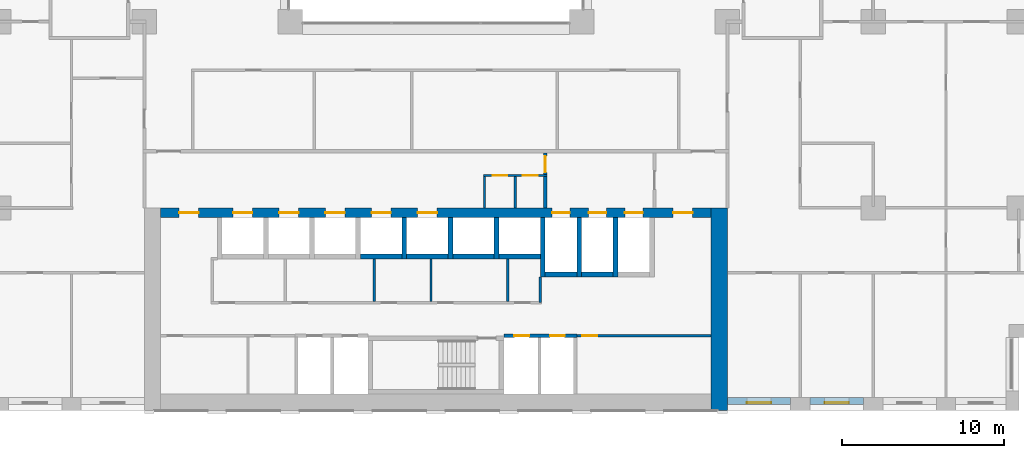
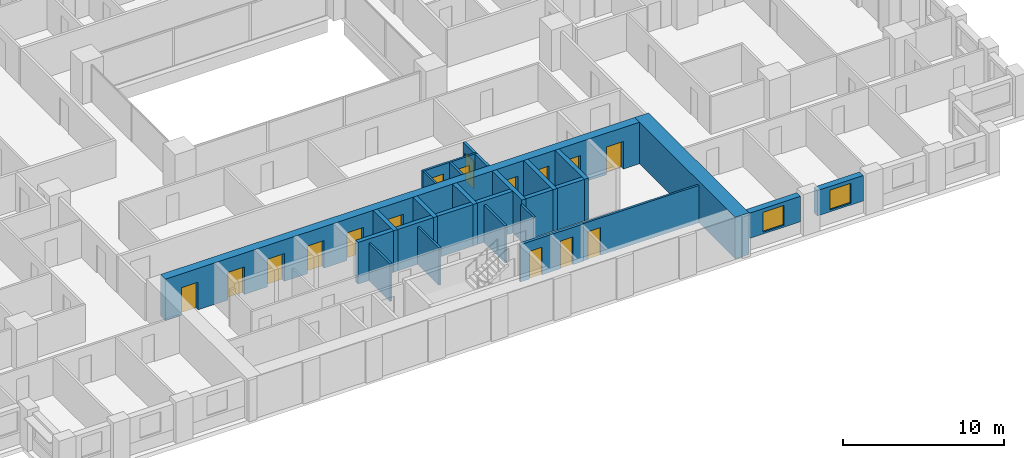
# One storey, part 11 of 19: 27 walls, 16 doors, 2 windows, 18 openings.
"""IFC4 building model written with IfcOpenShell, lengths in metres."""

from ifc_helpers import new_model, si_unit, direction, frame, frame_2d, origin, place, context, subcontext, project, spatial, rectangle, extrude, material, layer, layer_set, type_object, element, fill, save


model = new_model("IFC4")

# Units and contexts
model_context = context("Model", 3, precision=1e-05, world=origin(), true_north=direction((0.0, 1.0)))
body_context = subcontext(model_context, "Body", "Model", "MODEL_VIEW")
ifc_project = project(units=[si_unit("LENGTHUNIT", "METRE"), si_unit("AREAUNIT", "SQUARE_METRE"), si_unit("VOLUMEUNIT", "CUBIC_METRE"), si_unit("PLANEANGLEUNIT", "RADIAN"), si_unit("MASSUNIT", "GRAM", prefix="KILO")], contexts=[model_context])

# Site, building, storey
site_placement = place(None, origin())
site = spatial("IfcSite", under=ifc_project, at=site_placement, CompositionType="ELEMENT")
building_placement = place(site_placement, origin())
building = spatial("IfcBuilding", under=site, at=building_placement, Name="Brigalow Station Residences", CompositionType="ELEMENT")
storey_placement = place(building_placement, frame((0.0, 0.0, 35.25)))
storey = spatial("IfcBuildingStorey", under=building, at=storey_placement, Name="L09", CompositionType="ELEMENT", Elevation=35.25)

# Wall, opening, window
ifc_material_1 = material(Name="Clay brick masonry", Category="masonry")
ifc_layer_1 = layer(ifc_material_1, 0.449951171875)
ifc_layer_set_1 = layer_set([ifc_layer_1], Name="BRICK INFILL WALL 450")
wall_type_1 = type_object("IfcWallType", Name="BRICK INFILL WALL 450", PredefinedType="SOLIDWALL", material=ifc_layer_set_1)
wall_1_placement = place(storey_placement, frame((54.0, 0.574951171875, 0.89990234375), z_axis=(0.0, 0.0, 1.0), x_axis=(1.0, 0.0, 0.0)))
wall_1 = element("IfcWall", 1, at=wall_1_placement, inside=storey, type_object=wall_type_1, Name="L09/ewall/W-L09-5", PredefinedType="SOLIDWALL", context=body_context, shape_type="SweptSolid", body=[
    extrude(rectangle(XDim=3.89990234375, YDim=0.449951171875, at=frame_2d((1.949951171875, 0.0))), origin(), (0.0, 0.0, 1.0), 1.93017578125),
])
opening_1_placement = place(wall_1_placement, frame((1.199951171875, 0.0, 0.14990234375)))
opening_1 = element("IfcOpeningElement", 2, at=opening_1_placement, cuts=wall_1, Name="Opening WT-1", PredefinedType="OPENING", context=body_context, shape_type="SweptSolid", body=[
    extrude(rectangle(XDim=1.5, YDim=1.5, at=frame_2d((0.75, 0.75))), frame((0.0, 0.23486328125, 0.0), z_axis=(0.0, -1.0, 0.0), x_axis=(1.0, 0.0, 0.0)), (0.0, 0.0, 1.0), 0.469970703125),
])
ifc_material_2 = material(Name="Anodised aluminium frame with double glazing", Category="aluminium")
window_type = type_object("IfcWindowType", Name="WINDOW 1500x1500", PartitioningType="SINGLE_PANEL", PredefinedType="WINDOW", material=ifc_material_2)
window_1_placement = place(opening_1_placement, origin())
window_1 = element("IfcWindow", 3, at=window_1_placement, inside=storey, type_object=window_type, Name="L09/window/W-L09-5", OverallHeight=1.5, OverallWidth=1.5, PartitioningType="SINGLE_PANEL", PredefinedType="WINDOW", context=body_context, shape_type="SweptSolid", body=[
    extrude(rectangle(XDim=1.5, YDim=1.5, at=frame_2d((0.75, 0.75))), frame((0.0, -0.06494140625, 0.0), z_axis=(0.0, -1.0, 0.0), x_axis=(1.0, 0.0, 0.0)), (0.0, 0.0, 1.0), 0.06005859375),
])
fill(opening_1, window_1)

wall_2_placement = place(storey_placement, frame((59.10009765625, 0.574951171875, 0.89990234375), z_axis=(0.0, 0.0, 1.0), x_axis=(1.0, 0.0, 0.0)))
wall_2 = element("IfcWall", 4, at=wall_2_placement, inside=storey, type_object=wall_type_1, Name="L09/ewall/W-L09-6", PredefinedType="SOLIDWALL", context=body_context, shape_type="SweptSolid", body=[
    extrude(rectangle(XDim=3.2998046875, YDim=0.449951171875, at=frame_2d((1.64990234375, 0.0))), origin(), (0.0, 0.0, 1.0), 1.93017578125),
])
opening_2_placement = place(wall_2_placement, frame((0.89990234375, 0.0, 0.14990234375)))
opening_2 = element("IfcOpeningElement", 5, at=opening_2_placement, cuts=wall_2, Name="Opening WT-1", PredefinedType="OPENING", context=body_context, shape_type="SweptSolid", body=[
    extrude(rectangle(XDim=1.5, YDim=1.5, at=frame_2d((0.75, 0.75))), frame((0.0, 0.23486328125, 0.0), z_axis=(0.0, -1.0, 0.0), x_axis=(1.0, 0.0, 0.0)), (0.0, 0.0, 1.0), 0.469970703125),
])
window_2_placement = place(opening_2_placement, origin())
window_2 = element("IfcWindow", 6, at=window_2_placement, inside=storey, type_object=window_type, Name="L09/window/W-L09-6", OverallHeight=1.5, OverallWidth=1.5, PartitioningType="SINGLE_PANEL", PredefinedType="WINDOW", context=body_context, shape_type="SweptSolid", body=[
    extrude(rectangle(XDim=1.5, YDim=1.5, at=frame_2d((0.75, 0.75))), frame((0.0, -0.06494140625, 0.0), z_axis=(0.0, -1.0, 0.0), x_axis=(1.0, 0.0, 0.0)), (0.0, 0.0, 1.0), 0.06005859375),
])
fill(opening_2, window_2)

# Walls
ifc_material_3 = material(Name="Concrete C80", Category="concrete")
ifc_layer_2 = layer(ifc_material_3, 1.0)
ifc_layer_set_2 = layer_set([ifc_layer_2], Name="CORE SHEAR WALL 1000 C80")
wall_type_2 = type_object("IfcWallType", Name="CORE SHEAR WALL 1000 C80", PredefinedType="SHEAR", material=ifc_layer_set_2)
wall_3_placement = place(storey_placement, frame((53.5, 0.0, 0.0), z_axis=(0.0, 0.0, 1.0), x_axis=(0.0, 1.0, 0.0)))
element("IfcWall", 7, at=wall_3_placement, inside=storey, type_object=wall_type_2, Name="CORE WALL OUT-E L09", PredefinedType="SHEAR", context=body_context, shape_type="SweptSolid", body=[
    extrude(rectangle(XDim=12.5, YDim=1.0, at=frame_2d((6.25, 0.0))), origin(), (0.0, 0.0, 1.0), 3.14990234375),
])
ifc_material_4 = material(Name="Concrete C80", Category="concrete")
ifc_layer_3 = layer(ifc_material_4, 0.300048828125)
ifc_layer_set_3 = layer_set([ifc_layer_3], Name="CORE SHEAR WALL 300 C80")
wall_type_3 = type_object("IfcWallType", Name="CORE SHEAR WALL 300 C80", PredefinedType="SHEAR", material=ifc_layer_set_3)
wall_4_placement = place(storey_placement, frame((31.35009765625, 9.5, 0.0), z_axis=(0.0, 0.0, 1.0), x_axis=(1.0, 0.0, 0.0)))
element("IfcWall", 8, at=wall_4_placement, inside=storey, type_object=wall_type_3, Name="CORE WALL SH-P4-S L09", PredefinedType="SHEAR", context=body_context, shape_type="SweptSolid", body=[
    extrude(rectangle(XDim=2.5498046875, YDim=0.300048828125, at=frame_2d((1.27490234375, 0.0))), origin(), (0.0, 0.0, 1.0), 3.14990234375),
])
wall_5_placement = place(storey_placement, frame((34.199951171875, 9.5, 0.0), z_axis=(0.0, 0.0, 1.0), x_axis=(1.0, 0.0, 0.0)))
element("IfcWall", 9, at=wall_5_placement, inside=storey, type_object=wall_type_3, Name="CORE WALL SH-P5-S L09", PredefinedType="SHEAR", context=body_context, shape_type="SweptSolid", body=[
    extrude(rectangle(XDim=2.550048828125, YDim=0.300048828125, at=frame_2d((1.27490234375, 0.0))), origin(), (0.0, 0.0, 1.0), 3.14990234375),
])
wall_6_placement = place(storey_placement, frame((34.050048828125, 9.35009765625, 0.0), z_axis=(0.0, 0.0, 1.0), x_axis=(0.0, 1.0, 0.0)))
element("IfcWall", 10, at=wall_6_placement, inside=storey, type_object=wall_type_3, Name="CORE WALL SH-P5-W L09", PredefinedType="SHEAR", context=body_context, shape_type="SweptSolid", body=[
    extrude(rectangle(XDim=2.5498046875, YDim=0.300048828125, at=frame_2d((1.27490234375, 0.0))), origin(), (0.0, 0.0, 1.0), 3.14990234375),
])
wall_7_placement = place(storey_placement, frame((37.050048828125, 9.5, 0.0), z_axis=(0.0, 0.0, 1.0), x_axis=(1.0, 0.0, 0.0)))
element("IfcWall", 11, at=wall_7_placement, inside=storey, type_object=wall_type_3, Name="CORE WALL SH-X1-S L09", PredefinedType="SHEAR", context=body_context, shape_type="SweptSolid", body=[
    extrude(rectangle(XDim=2.550048828125, YDim=0.300048828125, at=frame_2d((1.27490234375, 0.0))), origin(), (0.0, 0.0, 1.0), 3.14990234375),
])
wall_8_placement = place(storey_placement, frame((36.89990234375, 9.35009765625, 0.0), z_axis=(0.0, 0.0, 1.0), x_axis=(0.0, 1.0, 0.0)))
element("IfcWall", 12, at=wall_8_placement, inside=storey, type_object=wall_type_3, Name="CORE WALL SH-X1-W L09", PredefinedType="SHEAR", context=body_context, shape_type="SweptSolid", body=[
    extrude(rectangle(XDim=2.5498046875, YDim=0.300048828125, at=frame_2d((1.27490234375, 0.0))), origin(), (0.0, 0.0, 1.0), 3.14990234375),
])
wall_9_placement = place(storey_placement, frame((39.89990234375, 9.5, 0.0), z_axis=(0.0, 0.0, 1.0), x_axis=(1.0, 0.0, 0.0)))
element("IfcWall", 13, at=wall_9_placement, inside=storey, type_object=wall_type_3, Name="CORE WALL SH-X2-S L09", PredefinedType="SHEAR", context=body_context, shape_type="SweptSolid", body=[
    extrude(rectangle(XDim=2.550048828125, YDim=0.300048828125, at=frame_2d((1.27490234375, 0.0))), origin(), (0.0, 0.0, 1.0), 3.14990234375),
])
wall_10_placement = place(storey_placement, frame((39.75, 9.35009765625, 0.0), z_axis=(0.0, 0.0, 1.0), x_axis=(0.0, 1.0, 0.0)))
element("IfcWall", 14, at=wall_10_placement, inside=storey, type_object=wall_type_3, Name="CORE WALL SH-X2-W L09", PredefinedType="SHEAR", context=body_context, shape_type="SweptSolid", body=[
    extrude(rectangle(XDim=2.5498046875, YDim=0.300048828125, at=frame_2d((1.27490234375, 0.0))), origin(), (0.0, 0.0, 1.0), 3.14990234375),
])
wall_11_placement = place(storey_placement, frame((42.75, 8.39990234375, 0.0), z_axis=(0.0, 0.0, 1.0), x_axis=(1.0, 0.0, 0.0)))
element("IfcWall", 15, at=wall_11_placement, inside=storey, type_object=wall_type_3, Name="CORE WALL SH-FF1-S L09", PredefinedType="SHEAR", context=body_context, shape_type="SweptSolid", body=[
    extrude(rectangle(XDim=1.949951171875, YDim=0.300048828125, at=frame_2d((0.97509765625, 0.0))), origin(), (0.0, 0.0, 1.0), 3.14990234375),
])
wall_12_placement = place(storey_placement, frame((42.60009765625, 8.25, 0.0), z_axis=(0.0, 0.0, 1.0), x_axis=(0.0, 1.0, 0.0)))
element("IfcWall", 16, at=wall_12_placement, inside=storey, type_object=wall_type_3, Name="CORE WALL SH-FF1-W L09", PredefinedType="SHEAR", context=body_context, shape_type="SweptSolid", body=[
    extrude(rectangle(XDim=3.64990234375, YDim=0.300048828125, at=frame_2d((1.824951171875, 0.0))), origin(), (0.0, 0.0, 1.0), 3.14990234375),
])
wall_13_placement = place(storey_placement, frame((45.0, 8.39990234375, 0.0), z_axis=(0.0, 0.0, 1.0), x_axis=(1.0, 0.0, 0.0)))
element("IfcWall", 17, at=wall_13_placement, inside=storey, type_object=wall_type_3, Name="CORE WALL SH-FF2-S L09", PredefinedType="SHEAR", context=body_context, shape_type="SweptSolid", body=[
    extrude(rectangle(XDim=1.949951171875, YDim=0.300048828125, at=frame_2d((0.97509765625, 0.0))), origin(), (0.0, 0.0, 1.0), 3.14990234375),
])
for number, where, z_axis, x_axis, name in (
    (18, (44.85009765625, 8.25, 0.0), (0.0, 0.0, 1.0), (0.0, 1.0, 0.0), "CORE WALL SH-FF2-W L09"),
    (19, (47.10009765625, 8.25, 0.0), (0.0, 0.0, 1.0), (0.0, 1.0, 0.0), "CORE WALL SH-SL1-W L09"),
):
    element("IfcWall", number, at=place(storey_placement, frame(where, z_axis=z_axis, x_axis=x_axis)), inside=storey, type_object=wall_type_3, Name=name, PredefinedType="SHEAR", context=body_context, shape_type="SweptSolid", body=[
        extrude(rectangle(XDim=3.64990234375, YDim=0.300048828125, at=frame_2d((1.824951171875, 0.0))), origin(), (0.0, 0.0, 1.0), 3.14990234375),
    ])

# Wall, openings, doors
ifc_material_5 = material(Name="Concrete C80", Category="concrete")
ifc_layer_4 = layer(ifc_material_5, 0.60009765625)
ifc_layer_set_4 = layer_set([ifc_layer_4], Name="CORE SHEAR WALL 600 C80")
wall_type_4 = type_object("IfcWallType", Name="CORE SHEAR WALL 600 C80", PredefinedType="SHEAR", material=ifc_layer_set_4)
wall_14_placement = place(storey_placement, frame((19.0, 12.199951171875, 0.0), z_axis=(0.0, 0.0, 1.0), x_axis=(1.0, 0.0, 0.0)))
wall_14 = element("IfcWall", 20, at=wall_14_placement, inside=storey, type_object=wall_type_4, Name="CORE WALL OUT-N L09", PredefinedType="SHEAR", context=body_context, shape_type="SweptSolid", body=[
    extrude(rectangle(XDim=34.0, YDim=0.60009765625, at=frame_2d((17.0, 0.0))), origin(), (0.0, 0.0, 1.0), 3.14990234375),
])
opening_3_placement = place(wall_14_placement, frame((4.47509765625, 0.0, 0.0)))
opening_3 = element("IfcOpeningElement", 21, at=opening_3_placement, cuts=wall_14, Name="Opening LD-LA1", PredefinedType="OPENING", context=body_context, shape_type="SweptSolid", body=[
    extrude(rectangle(XDim=1.199951171875, YDim=2.10009765625, at=frame_2d((0.60009765625, 1.050048828125))), frame((0.0, 0.31005859375, 0.0), z_axis=(0.0, -1.0, 0.0), x_axis=(1.0, 0.0, 0.0)), (0.0, 0.0, 1.0), 0.6201171875),
])
opening_4_placement = place(wall_14_placement, frame((7.324951171875, 0.0, 0.0)))
opening_4 = element("IfcOpeningElement", 22, at=opening_4_placement, cuts=wall_14, Name="Opening LD-LA2", PredefinedType="OPENING", context=body_context, shape_type="SweptSolid", body=[
    extrude(rectangle(XDim=1.199951171875, YDim=2.10009765625, at=frame_2d((0.60009765625, 1.050048828125))), frame((0.0, 0.31005859375, 0.0), z_axis=(0.0, -1.0, 0.0), x_axis=(1.0, 0.0, 0.0)), (0.0, 0.0, 1.0), 0.6201171875),
])
opening_5_placement = place(wall_14_placement, frame((10.175048828125, 0.0, 0.0)))
opening_5 = element("IfcOpeningElement", 23, at=opening_5_placement, cuts=wall_14, Name="Opening LD-LA3", PredefinedType="OPENING", context=body_context, shape_type="SweptSolid", body=[
    extrude(rectangle(XDim=1.199951171875, YDim=2.10009765625, at=frame_2d((0.60009765625, 1.050048828125))), frame((0.0, 0.31005859375, 0.0), z_axis=(0.0, -1.0, 0.0), x_axis=(1.0, 0.0, 0.0)), (0.0, 0.0, 1.0), 0.6201171875),
])
opening_6_placement = place(wall_14_placement, frame((13.02490234375, 0.0, 0.0)))
opening_6 = element("IfcOpeningElement", 24, at=opening_6_placement, cuts=wall_14, Name="Opening LD-LA4", PredefinedType="OPENING", context=body_context, shape_type="SweptSolid", body=[
    extrude(rectangle(XDim=1.199951171875, YDim=2.10009765625, at=frame_2d((0.60009765625, 1.050048828125))), frame((0.0, 0.31005859375, 0.0), z_axis=(0.0, -1.0, 0.0), x_axis=(1.0, 0.0, 0.0)), (0.0, 0.0, 1.0), 0.6201171875),
])
opening_7_placement = place(wall_14_placement, frame((15.875, 0.0, 0.0)))
opening_7 = element("IfcOpeningElement", 25, at=opening_7_placement, cuts=wall_14, Name="Opening LD-LA5", PredefinedType="OPENING", context=body_context, shape_type="SweptSolid", body=[
    extrude(rectangle(XDim=1.199951171875, YDim=2.10009765625, at=frame_2d((0.60009765625, 1.050048828125))), frame((0.0, 0.31005859375, 0.0), z_axis=(0.0, -1.0, 0.0), x_axis=(1.0, 0.0, 0.0)), (0.0, 0.0, 1.0), 0.6201171875),
])
opening_8_placement = place(wall_14_placement, frame((24.175048828125, 0.0, 0.0)))
opening_8 = element("IfcOpeningElement", 26, at=opening_8_placement, cuts=wall_14, Name="Opening LD-LF1", PredefinedType="OPENING", context=body_context, shape_type="SweptSolid", body=[
    extrude(rectangle(XDim=1.10009765625, YDim=2.10009765625, at=frame_2d((0.550048828125, 1.050048828125))), frame((0.0, 0.31005859375, 0.0), z_axis=(0.0, -1.0, 0.0), x_axis=(1.0, 0.0, 0.0)), (0.0, 0.0, 1.0), 0.6201171875),
])
opening_9_placement = place(wall_14_placement, frame((26.425048828125, 0.0, 0.0)))
opening_9 = element("IfcOpeningElement", 27, at=opening_9_placement, cuts=wall_14, Name="Opening LD-LF2", PredefinedType="OPENING", context=body_context, shape_type="SweptSolid", body=[
    extrude(rectangle(XDim=1.10009765625, YDim=2.10009765625, at=frame_2d((0.550048828125, 1.050048828125))), frame((0.0, 0.31005859375, 0.0), z_axis=(0.0, -1.0, 0.0), x_axis=(1.0, 0.0, 0.0)), (0.0, 0.0, 1.0), 0.6201171875),
])
opening_10_placement = place(wall_14_placement, frame((28.675048828125, 0.0, 0.0)))
opening_10 = element("IfcOpeningElement", 28, at=opening_10_placement, cuts=wall_14, Name="Opening LD-LG1", PredefinedType="OPENING", context=body_context, shape_type="SweptSolid", body=[
    extrude(rectangle(XDim=1.10009765625, YDim=2.10009765625, at=frame_2d((0.550048828125, 1.050048828125))), frame((0.0, 0.31005859375, 0.0), z_axis=(0.0, -1.0, 0.0), x_axis=(1.0, 0.0, 0.0)), (0.0, 0.0, 1.0), 0.6201171875),
])
opening_11_placement = place(wall_14_placement, frame((1.14990234375, 0.0, 0.0)))
opening_11 = element("IfcOpeningElement", 29, at=opening_11_placement, cuts=wall_14, Name="Opening D-5011", PredefinedType="OPENING", context=body_context, shape_type="SweptSolid", body=[
    extrude(rectangle(XDim=1.199951171875, YDim=2.10009765625, at=frame_2d((0.60009765625, 1.050048828125))), frame((0.0, 0.31005859375, 0.0), z_axis=(0.0, -1.0, 0.0), x_axis=(1.0, 0.0, 0.0)), (0.0, 0.0, 1.0), 0.6201171875),
])
opening_12_placement = place(wall_14_placement, frame((31.64990234375, 0.0, 0.0)))
opening_12 = element("IfcOpeningElement", 30, at=opening_12_placement, cuts=wall_14, Name="Opening D-5012", PredefinedType="OPENING", context=body_context, shape_type="SweptSolid", body=[
    extrude(rectangle(XDim=1.199951171875, YDim=2.10009765625, at=frame_2d((0.60009765625, 1.050048828125))), frame((0.0, 0.31005859375, 0.0), z_axis=(0.0, -1.0, 0.0), x_axis=(1.0, 0.0, 0.0)), (0.0, 0.0, 1.0), 0.6201171875),
])
ifc_material_6 = material(Name="Steel fire door leaf in steel frame", Category="steel")
door_type_1 = type_object("IfcDoorType", Name="CORE CORRIDOR DOOR 1200 x 2100 FD60S", OperationType="SINGLE_SWING_LEFT", PredefinedType="DOOR", material=ifc_material_6)
door_1_placement = place(opening_11_placement, frame((1.199951171875, 0.0, 0.0), z_axis=(0.0, 0.0, 1.0), x_axis=(-1.0, 0.0, 0.0)))
door_1 = element("IfcDoor", 31, at=door_1_placement, inside=storey, type_object=door_type_1, Name="D-5011", OperationType="SINGLE_SWING_LEFT", OverallHeight=2.10009765625, OverallWidth=1.199951171875, PredefinedType="DOOR", context=body_context, shape_type="SweptSolid", body=[
    extrude(rectangle(XDim=1.199951171875, YDim=2.10009765625, at=frame_2d((0.60009765625, 1.050048828125))), frame((0.0, 0.02490234375, 0.0), z_axis=(0.0, -1.0, 0.0), x_axis=(1.0, 0.0, 0.0)), (0.0, 0.0, 1.0), 0.050048828125),
])
fill(opening_11, door_1)
door_2_placement = place(opening_12_placement, frame((1.199951171875, 0.0, 0.0), z_axis=(0.0, 0.0, 1.0), x_axis=(-1.0, 0.0, 0.0)))
door_2 = element("IfcDoor", 32, at=door_2_placement, inside=storey, type_object=door_type_1, Name="D-5012", OperationType="SINGLE_SWING_RIGHT", OverallHeight=2.10009765625, OverallWidth=1.199951171875, PredefinedType="DOOR", context=body_context, shape_type="SweptSolid", body=[
    extrude(rectangle(XDim=1.199951171875, YDim=2.10009765625, at=frame_2d((0.60009765625, 1.050048828125))), frame((0.0, 0.02490234375, 0.0), z_axis=(0.0, -1.0, 0.0), x_axis=(1.0, 0.0, 0.0)), (0.0, 0.0, 1.0), 0.050048828125),
])
fill(opening_12, door_2)
ifc_material_7 = material(Name="Stainless steel sliding door leaves", Category="steel")
door_type_2 = type_object("IfcDoorType", Name="LIFT LANDING DOOR 1100 x 2100", OperationType="DOUBLE_DOOR_SLIDING", PredefinedType="DOOR", material=ifc_material_7)
door_3_placement = place(opening_8_placement, origin())
door_3 = element("IfcDoor", 33, at=door_3_placement, inside=storey, type_object=door_type_2, Name="LANDING DOOR LF1", OperationType="DOUBLE_DOOR_SLIDING", OverallHeight=2.10009765625, OverallWidth=1.10009765625, PredefinedType="DOOR", context=body_context, shape_type="SweptSolid", body=[
    extrude(rectangle(XDim=1.10009765625, YDim=2.10009765625, at=frame_2d((0.550048828125, 1.050048828125))), frame((0.0, 0.02490234375, 0.0), z_axis=(0.0, -1.0, 0.0), x_axis=(1.0, 0.0, 0.0)), (0.0, 0.0, 1.0), 0.050048828125),
])
fill(opening_8, door_3)
door_4_placement = place(opening_9_placement, origin())
door_4 = element("IfcDoor", 34, at=door_4_placement, inside=storey, type_object=door_type_2, Name="LANDING DOOR LF2", OperationType="DOUBLE_DOOR_SLIDING", OverallHeight=2.10009765625, OverallWidth=1.10009765625, PredefinedType="DOOR", context=body_context, shape_type="SweptSolid", body=[
    extrude(rectangle(XDim=1.10009765625, YDim=2.10009765625, at=frame_2d((0.550048828125, 1.050048828125))), frame((0.0, 0.02490234375, 0.0), z_axis=(0.0, -1.0, 0.0), x_axis=(1.0, 0.0, 0.0)), (0.0, 0.0, 1.0), 0.050048828125),
])
fill(opening_9, door_4)
door_5_placement = place(opening_10_placement, origin())
door_5 = element("IfcDoor", 35, at=door_5_placement, inside=storey, type_object=door_type_2, Name="LANDING DOOR LG1", OperationType="DOUBLE_DOOR_SLIDING", OverallHeight=2.10009765625, OverallWidth=1.10009765625, PredefinedType="DOOR", context=body_context, shape_type="SweptSolid", body=[
    extrude(rectangle(XDim=1.10009765625, YDim=2.10009765625, at=frame_2d((0.550048828125, 1.050048828125))), frame((0.0, 0.02490234375, 0.0), z_axis=(0.0, -1.0, 0.0), x_axis=(1.0, 0.0, 0.0)), (0.0, 0.0, 1.0), 0.050048828125),
])
fill(opening_10, door_5)
ifc_material_8 = material(Name="Stainless steel sliding door leaves", Category="steel")
door_type_3 = type_object("IfcDoorType", Name="LIFT LANDING DOOR 1200 x 2100", OperationType="DOUBLE_DOOR_SLIDING", PredefinedType="DOOR", material=ifc_material_8)
door_6_placement = place(opening_3_placement, origin())
door_6 = element("IfcDoor", 36, at=door_6_placement, inside=storey, type_object=door_type_3, Name="LANDING DOOR LA1", OperationType="DOUBLE_DOOR_SLIDING", OverallHeight=2.10009765625, OverallWidth=1.199951171875, PredefinedType="DOOR", context=body_context, shape_type="SweptSolid", body=[
    extrude(rectangle(XDim=1.199951171875, YDim=2.10009765625, at=frame_2d((0.60009765625, 1.050048828125))), frame((0.0, 0.02490234375, 0.0), z_axis=(0.0, -1.0, 0.0), x_axis=(1.0, 0.0, 0.0)), (0.0, 0.0, 1.0), 0.050048828125),
])
fill(opening_3, door_6)
door_7_placement = place(opening_4_placement, origin())
door_7 = element("IfcDoor", 37, at=door_7_placement, inside=storey, type_object=door_type_3, Name="LANDING DOOR LA2", OperationType="DOUBLE_DOOR_SLIDING", OverallHeight=2.10009765625, OverallWidth=1.199951171875, PredefinedType="DOOR", context=body_context, shape_type="SweptSolid", body=[
    extrude(rectangle(XDim=1.199951171875, YDim=2.10009765625, at=frame_2d((0.60009765625, 1.050048828125))), frame((0.0, 0.02490234375, 0.0), z_axis=(0.0, -1.0, 0.0), x_axis=(1.0, 0.0, 0.0)), (0.0, 0.0, 1.0), 0.050048828125),
])
fill(opening_4, door_7)
door_8_placement = place(opening_5_placement, origin())
door_8 = element("IfcDoor", 38, at=door_8_placement, inside=storey, type_object=door_type_3, Name="LANDING DOOR LA3", OperationType="DOUBLE_DOOR_SLIDING", OverallHeight=2.10009765625, OverallWidth=1.199951171875, PredefinedType="DOOR", context=body_context, shape_type="SweptSolid", body=[
    extrude(rectangle(XDim=1.199951171875, YDim=2.10009765625, at=frame_2d((0.60009765625, 1.050048828125))), frame((0.0, 0.02490234375, 0.0), z_axis=(0.0, -1.0, 0.0), x_axis=(1.0, 0.0, 0.0)), (0.0, 0.0, 1.0), 0.050048828125),
])
fill(opening_5, door_8)
door_9_placement = place(opening_6_placement, origin())
door_9 = element("IfcDoor", 39, at=door_9_placement, inside=storey, type_object=door_type_3, Name="LANDING DOOR LA4", OperationType="DOUBLE_DOOR_SLIDING", OverallHeight=2.10009765625, OverallWidth=1.199951171875, PredefinedType="DOOR", context=body_context, shape_type="SweptSolid", body=[
    extrude(rectangle(XDim=1.199951171875, YDim=2.10009765625, at=frame_2d((0.60009765625, 1.050048828125))), frame((0.0, 0.02490234375, 0.0), z_axis=(0.0, -1.0, 0.0), x_axis=(1.0, 0.0, 0.0)), (0.0, 0.0, 1.0), 0.050048828125),
])
fill(opening_6, door_9)
door_10_placement = place(opening_7_placement, origin())
door_10 = element("IfcDoor", 40, at=door_10_placement, inside=storey, type_object=door_type_3, Name="LANDING DOOR LA5", OperationType="DOUBLE_DOOR_SLIDING", OverallHeight=2.10009765625, OverallWidth=1.199951171875, PredefinedType="DOOR", context=body_context, shape_type="SweptSolid", body=[
    extrude(rectangle(XDim=1.199951171875, YDim=2.10009765625, at=frame_2d((0.60009765625, 1.050048828125))), frame((0.0, 0.02490234375, 0.0), z_axis=(0.0, -1.0, 0.0), x_axis=(1.0, 0.0, 0.0)), (0.0, 0.0, 1.0), 0.050048828125),
])
fill(opening_7, door_10)

ifc_material_9 = material(Name="Concrete blockwork", Category="masonry")
ifc_layer_5 = layer(ifc_material_9, 0.199951171875)
ifc_layer_set_5 = layer_set([ifc_layer_5], Name="FIRE RATED CORE PARTITION 200")
wall_type_5 = type_object("IfcWallType", Name="FIRE RATED CORE PARTITION 200", PredefinedType="PARTITIONING", material=ifc_layer_set_5)
wall_15_placement = place(storey_placement, frame((40.199951171875, 4.60009765625, 0.0), z_axis=(0.0, 0.0, 1.0), x_axis=(1.0, 0.0, 0.0)))
wall_15 = element("IfcWall", 41, at=wall_15_placement, inside=storey, type_object=wall_type_5, Name="PW-5018", PredefinedType="PARTITIONING", context=body_context, shape_type="SweptSolid", body=[
    extrude(rectangle(XDim=4.5, YDim=0.199951171875, at=frame_2d((2.25, 0.0))), origin(), (0.0, 0.0, 1.0), 2.830078125),
])
opening_13_placement = place(wall_15_placement, frame((0.64990234375, 0.0, 0.0)))
opening_13 = element("IfcOpeningElement", 42, at=opening_13_placement, cuts=wall_15, Name="Opening D-5009", PredefinedType="OPENING", context=body_context, shape_type="SweptSolid", body=[
    extrude(rectangle(XDim=0.89990234375, YDim=2.10009765625, at=frame_2d((0.449951171875, 1.050048828125))), frame((0.0, 0.10986328125, 0.0), z_axis=(0.0, -1.0, 0.0), x_axis=(1.0, 0.0, 0.0)), (0.0, 0.0, 1.0), 0.219970703125),
])
opening_14_placement = place(wall_15_placement, frame((2.85009765625, 0.0, 0.0)))
opening_14 = element("IfcOpeningElement", 43, at=opening_14_placement, cuts=wall_15, Name="Opening D-5010", PredefinedType="OPENING", context=body_context, shape_type="SweptSolid", body=[
    extrude(rectangle(XDim=0.89990234375, YDim=2.10009765625, at=frame_2d((0.449951171875, 1.050048828125))), frame((0.0, 0.10986328125, 0.0), z_axis=(0.0, -1.0, 0.0), x_axis=(1.0, 0.0, 0.0)), (0.0, 0.0, 1.0), 0.219970703125),
])
ifc_material_10 = material(Name="Steel fire door leaf in steel frame", Category="steel")
door_type_4 = type_object("IfcDoorType", Name="RISER ACCESS DOOR 900 x 2100 FD120", OperationType="SINGLE_SWING_LEFT", PredefinedType="DOOR", material=ifc_material_10)
door_11_placement = place(opening_13_placement, frame((0.89990234375, 0.0, 0.0), z_axis=(0.0, 0.0, 1.0), x_axis=(-1.0, 0.0, 0.0)))
door_11 = element("IfcDoor", 44, at=door_11_placement, inside=storey, type_object=door_type_4, Name="D-5009", OperationType="SINGLE_SWING_LEFT", OverallHeight=2.10009765625, OverallWidth=0.89990234375, PredefinedType="DOOR", context=body_context, shape_type="SweptSolid", body=[
    extrude(rectangle(XDim=0.89990234375, YDim=2.10009765625, at=frame_2d((0.449951171875, 1.050048828125))), frame((0.0, 0.02490234375, 0.0), z_axis=(0.0, -1.0, 0.0), x_axis=(1.0, 0.0, 0.0)), (0.0, 0.0, 1.0), 0.050048828125),
])
fill(opening_13, door_11)
door_12_placement = place(opening_14_placement, frame((0.89990234375, 0.0, 0.0), z_axis=(0.0, 0.0, 1.0), x_axis=(-1.0, 0.0, 0.0)))
door_12 = element("IfcDoor", 45, at=door_12_placement, inside=storey, type_object=door_type_4, Name="D-5010", OperationType="SINGLE_SWING_LEFT", OverallHeight=2.10009765625, OverallWidth=0.89990234375, PredefinedType="DOOR", context=body_context, shape_type="SweptSolid", body=[
    extrude(rectangle(XDim=0.89990234375, YDim=2.10009765625, at=frame_2d((0.449951171875, 1.050048828125))), frame((0.0, 0.02490234375, 0.0), z_axis=(0.0, -1.0, 0.0), x_axis=(1.0, 0.0, 0.0)), (0.0, 0.0, 1.0), 0.050048828125),
])
fill(opening_14, door_12)

# Wall
wall_16_placement = place(storey_placement, frame((42.75, 12.5, 0.0), z_axis=(0.0, 0.0, 1.0), x_axis=(0.0, 1.0, 0.0)))
element("IfcWall", 46, at=wall_16_placement, inside=storey, type_object=wall_type_5, Name="PW-5046", PredefinedType="PARTITIONING", context=body_context, shape_type="SweptSolid", body=[
    extrude(rectangle(XDim=1.925048828125, YDim=0.199951171875, at=frame_2d((0.96240234375, 0.0))), origin(), (0.0, 0.0, 1.0), 2.830078125),
])

# Wall, opening, door
wall_17_placement = place(storey_placement, frame((42.75, 14.574951171875, 0.0), z_axis=(0.0, 0.0, 1.0), x_axis=(0.0, 1.0, 0.0)))
wall_17 = element("IfcWall", 47, at=wall_17_placement, inside=storey, type_object=wall_type_5, Name="PW-5047", PredefinedType="PARTITIONING", context=body_context, shape_type="SweptSolid", body=[
    extrude(rectangle(XDim=1.324951171875, YDim=0.199951171875, at=frame_2d((0.66259765625, 0.0))), origin(), (0.0, 0.0, 1.0), 2.830078125),
])
opening_15_placement = place(wall_17_placement, frame((0.125, 0.0, 0.0)))
opening_15 = element("IfcOpeningElement", 48, at=opening_15_placement, cuts=wall_17, Name="Opening D-5013", PredefinedType="OPENING", context=body_context, shape_type="SweptSolid", body=[
    extrude(rectangle(XDim=1.0, YDim=2.10009765625, at=frame_2d((0.5, 1.050048828125))), frame((0.0, 0.10986328125, 0.0), z_axis=(0.0, -1.0, 0.0), x_axis=(1.0, 0.0, 0.0)), (0.0, 0.0, 1.0), 0.219970703125),
])
ifc_material_11 = material(Name="Steel fire door leaf in steel frame", Category="steel")
door_type_5 = type_object("IfcDoorType", Name="LOBBY DOOR 1000 x 2100 FD60S", OperationType="SINGLE_SWING_LEFT", PredefinedType="DOOR", material=ifc_material_11)
door_13_placement = place(opening_15_placement, origin())
door_13 = element("IfcDoor", 49, at=door_13_placement, inside=storey, type_object=door_type_5, Name="D-5013", OperationType="SINGLE_SWING_LEFT", OverallHeight=2.10009765625, OverallWidth=1.0, PredefinedType="DOOR", context=body_context, shape_type="SweptSolid", body=[
    extrude(rectangle(XDim=1.0, YDim=2.10009765625, at=frame_2d((0.5, 1.050048828125))), frame((0.0, 0.02490234375, 0.0), z_axis=(0.0, -1.0, 0.0), x_axis=(1.0, 0.0, 0.0)), (0.0, 0.0, 1.0), 0.050048828125),
])
fill(opening_15, door_13)

ifc_material_12 = material(Name="Plasterboard on steel studs", Category="steel")
ifc_layer_6 = layer(ifc_material_12, 0.14990234375)
ifc_layer_set_6 = layer_set([ifc_layer_6], Name="SERVICE ROOM PARTITION 150")
wall_type_6 = type_object("IfcWallType", Name="SERVICE ROOM PARTITION 150", PredefinedType="PARTITIONING", material=ifc_layer_set_6)
wall_18_placement = place(storey_placement, frame((44.699951171875, 4.60009765625, 0.0), z_axis=(0.0, 0.0, 1.0), x_axis=(1.0, 0.0, 0.0)))
wall_18 = element("IfcWall", 50, at=wall_18_placement, inside=storey, type_object=wall_type_6, Name="PW-5020", PredefinedType="PARTITIONING", context=body_context, shape_type="SweptSolid", body=[
    extrude(rectangle(XDim=8.300048828125, YDim=0.14990234375, at=frame_2d((4.14990234375, 0.0))), origin(), (0.0, 0.0, 1.0), 2.830078125),
])
opening_16_placement = place(wall_18_placement, frame((0.35009765625, 0.0, 0.0)))
opening_16 = element("IfcOpeningElement", 51, at=opening_16_placement, cuts=wall_18, Name="Opening D-5026", PredefinedType="OPENING", context=body_context, shape_type="SweptSolid", body=[
    extrude(rectangle(XDim=0.89990234375, YDim=2.10009765625, at=frame_2d((0.449951171875, 1.050048828125))), frame((0.0, 0.0849609375, 0.0), z_axis=(0.0, -1.0, 0.0), x_axis=(1.0, 0.0, 0.0)), (0.0, 0.0, 1.0), 0.169921875),
])
ifc_material_13 = material(Name="Steel door leaf in steel frame", Category="steel")
door_type_6 = type_object("IfcDoorType", Name="SERVICE ROOM DOOR 900 x 2100 FD60", OperationType="SINGLE_SWING_LEFT", PredefinedType="DOOR", material=ifc_material_13)
door_14_placement = place(opening_16_placement, frame((0.89990234375, 0.0, 0.0), z_axis=(0.0, 0.0, 1.0), x_axis=(-1.0, 0.0, 0.0)))
door_14 = element("IfcDoor", 52, at=door_14_placement, inside=storey, type_object=door_type_6, Name="D-5026", OperationType="SINGLE_SWING_RIGHT", OverallHeight=2.10009765625, OverallWidth=0.89990234375, PredefinedType="DOOR", context=body_context, shape_type="SweptSolid", body=[
    extrude(rectangle(XDim=0.89990234375, YDim=2.10009765625, at=frame_2d((0.449951171875, 1.050048828125))), frame((0.0, 0.02490234375, 0.0), z_axis=(0.0, -1.0, 0.0), x_axis=(1.0, 0.0, 0.0)), (0.0, 0.0, 1.0), 0.050048828125),
])
fill(opening_16, door_14)

# Wall, openings, doors
wall_19_placement = place(storey_placement, frame((38.925048828125, 14.5, 0.0), z_axis=(0.0, 0.0, 1.0), x_axis=(1.0, 0.0, 0.0)))
wall_19 = element("IfcWall", 53, at=wall_19_placement, inside=storey, type_object=wall_type_6, Name="PW-5129", PredefinedType="PARTITIONING", context=body_context, shape_type="SweptSolid", body=[
    extrude(rectangle(XDim=3.925048828125, YDim=0.14990234375, at=frame_2d((1.96240234375, 0.0))), origin(), (0.0, 0.0, 1.0), 2.830078125),
])
opening_17_placement = place(wall_19_placement, frame((0.574951171875, 0.0, 0.0)))
opening_17 = element("IfcOpeningElement", 54, at=opening_17_placement, cuts=wall_19, Name="Opening D-5077", PredefinedType="OPENING", context=body_context, shape_type="SweptSolid", body=[
    extrude(rectangle(XDim=0.89990234375, YDim=2.10009765625, at=frame_2d((0.449951171875, 1.050048828125))), frame((0.0, 0.0849609375, 0.0), z_axis=(0.0, -1.0, 0.0), x_axis=(1.0, 0.0, 0.0)), (0.0, 0.0, 1.0), 0.169921875),
])
opening_18_placement = place(wall_19_placement, frame((2.449951171875, 0.0, 0.0)))
opening_18 = element("IfcOpeningElement", 55, at=opening_18_placement, cuts=wall_19, Name="Opening D-5078", PredefinedType="OPENING", context=body_context, shape_type="SweptSolid", body=[
    extrude(rectangle(XDim=0.89990234375, YDim=2.10009765625, at=frame_2d((0.449951171875, 1.050048828125))), frame((0.0, 0.0849609375, 0.0), z_axis=(0.0, -1.0, 0.0), x_axis=(1.0, 0.0, 0.0)), (0.0, 0.0, 1.0), 0.169921875),
])
door_15_placement = place(opening_17_placement, frame((0.89990234375, 0.0, 0.0), z_axis=(0.0, 0.0, 1.0), x_axis=(-1.0, 0.0, 0.0)))
door_15 = element("IfcDoor", 56, at=door_15_placement, inside=storey, type_object=door_type_6, Name="D-5077", OperationType="SINGLE_SWING_RIGHT", OverallHeight=2.10009765625, OverallWidth=0.89990234375, PredefinedType="DOOR", context=body_context, shape_type="SweptSolid", body=[
    extrude(rectangle(XDim=0.89990234375, YDim=2.10009765625, at=frame_2d((0.449951171875, 1.050048828125))), frame((0.0, 0.02490234375, 0.0), z_axis=(0.0, -1.0, 0.0), x_axis=(1.0, 0.0, 0.0)), (0.0, 0.0, 1.0), 0.050048828125),
])
fill(opening_17, door_15)
door_16_placement = place(opening_18_placement, frame((0.89990234375, 0.0, 0.0), z_axis=(0.0, 0.0, 1.0), x_axis=(-1.0, 0.0, 0.0)))
door_16 = element("IfcDoor", 57, at=door_16_placement, inside=storey, type_object=door_type_6, Name="D-5078", OperationType="SINGLE_SWING_LEFT", OverallHeight=2.10009765625, OverallWidth=0.89990234375, PredefinedType="DOOR", context=body_context, shape_type="SweptSolid", body=[
    extrude(rectangle(XDim=0.89990234375, YDim=2.10009765625, at=frame_2d((0.449951171875, 1.050048828125))), frame((0.0, 0.02490234375, 0.0), z_axis=(0.0, -1.0, 0.0), x_axis=(1.0, 0.0, 0.0)), (0.0, 0.0, 1.0), 0.050048828125),
])
fill(opening_18, door_16)

# Walls
wall_20_placement = place(storey_placement, frame((42.449951171875, 6.64990234375, 0.0), z_axis=(0.0, 0.0, 1.0), x_axis=(0.0, 1.0, 0.0)))
element("IfcWall", 58, at=wall_20_placement, inside=storey, type_object=wall_type_6, Name="PW-5029", PredefinedType="PARTITIONING", context=body_context, shape_type="SweptSolid", body=[
    extrude(rectangle(XDim=1.60009765625, YDim=0.14990234375, at=frame_2d((0.800048828125, 0.0))), origin(), (0.0, 0.0, 1.0), 2.830078125),
])
for number, where, z_axis, x_axis, name in (
    (59, (32.199951171875, 6.72509765625, 0.0), (0.0, 0.0, 1.0), (0.0, 1.0, 0.0), "PW-5042"),
    (60, (35.699951171875, 6.72509765625, 0.0), (0.0, 0.0, 1.0), (0.0, 1.0, 0.0), "PW-5043"),
    (61, (40.449951171875, 6.72509765625, 0.0), (0.0, 0.0, 1.0), (0.0, 1.0, 0.0), "PW-5044"),
):
    element("IfcWall", number, at=place(storey_placement, frame(where, z_axis=z_axis, x_axis=x_axis)), inside=storey, type_object=wall_type_6, Name=name, PredefinedType="PARTITIONING", context=body_context, shape_type="SweptSolid", body=[
        extrude(rectangle(XDim=2.625, YDim=0.14990234375, at=frame_2d((1.3125, 0.0))), origin(), (0.0, 0.0, 1.0), 2.830078125),
    ])
for number, where, z_axis, x_axis, name in (
    (62, (39.0, 12.5, 0.0), (0.0, 0.0, 1.0), (0.0, 1.0, 0.0), "PW-5136"),
    (63, (40.89990234375, 12.5, 0.0), (0.0, 0.0, 1.0), (0.0, 1.0, 0.0), "PW-5137"),
):
    element("IfcWall", number, at=place(storey_placement, frame(where, z_axis=z_axis, x_axis=x_axis)), inside=storey, type_object=wall_type_6, Name=name, PredefinedType="PARTITIONING", context=body_context, shape_type="SweptSolid", body=[
        extrude(rectangle(XDim=1.925048828125, YDim=0.14990234375, at=frame_2d((0.96240234375, 0.0))), origin(), (0.0, 0.0, 1.0), 2.830078125),
    ])

save(model, "model.ifc")
